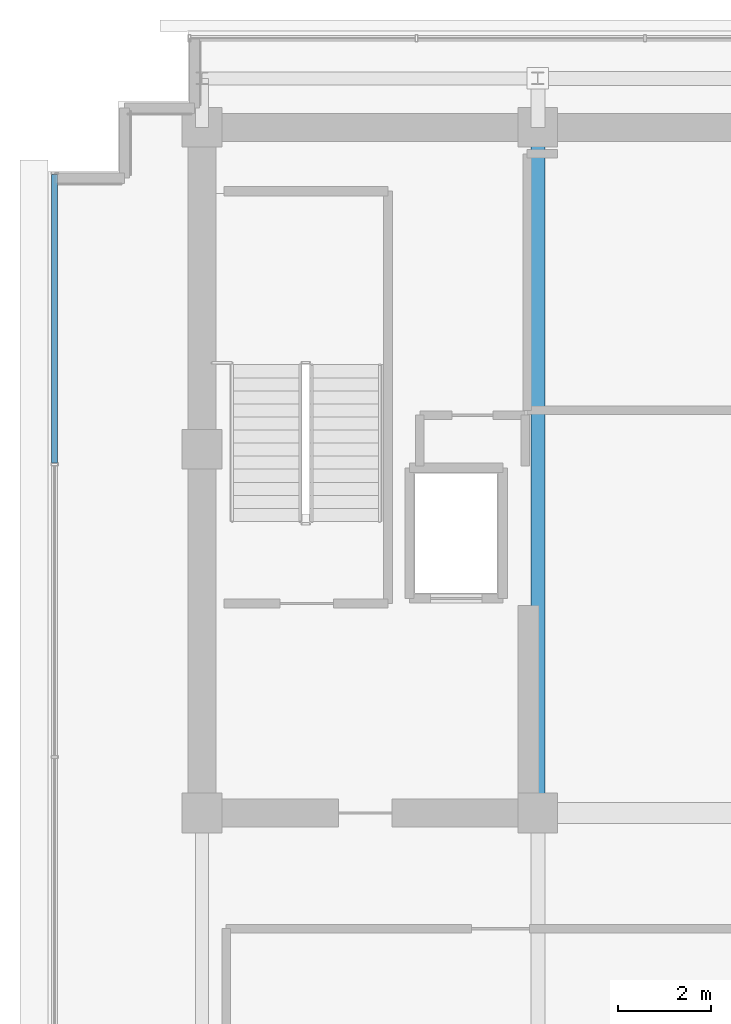
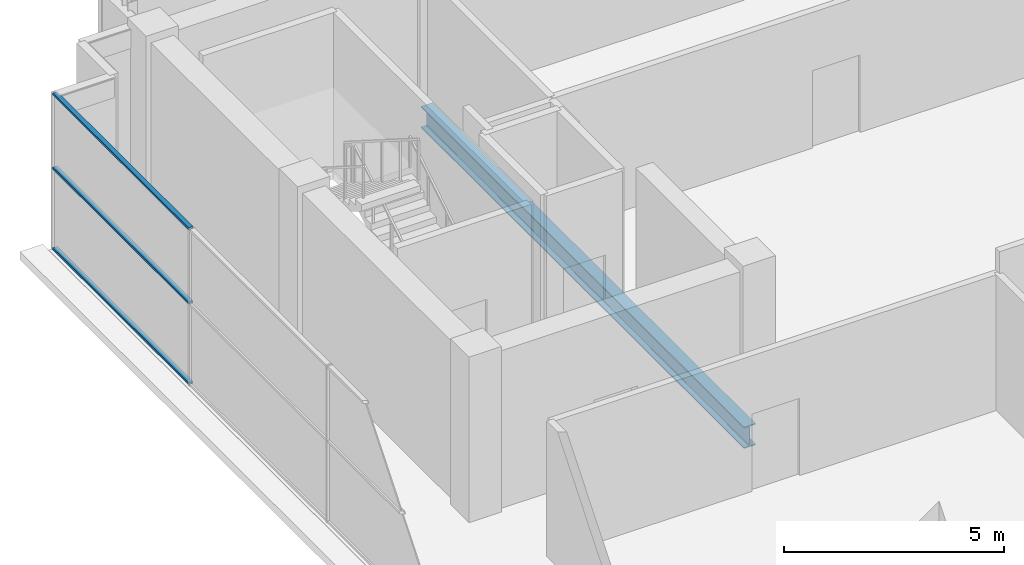
# One storey, part 14 of 27: 3 members, 1 beam, 1 element without a shape of its own.
"""IFC4 building model written with IfcOpenShell, lengths in metres."""

import ifcopenshell
import ifcopenshell.guid

model = None  # the IFC model being written
_history = None  # IfcOwnerHistory: only IFC2X3 demands one
_inside = {}  # id of a spatial element -> (the spatial element, [elements in it])
_under = {}  # id of a project, library or spatial element -> (it, [spatial elements below it])
_declared = {}  # id of a project -> (the project, [libraries it declares])
_typed = {}  # id of a type object -> (the type object, [elements of that type])
_made_of = {}  # id of a material, layer set ... -> (it, [elements and type objects made of it])


def new_model(schema):
    """Start an empty IFC model of exactly this schema.

    Asked for "IFC4X3", IfcOpenShell would pick the latest addendum, in which some entities
    have other attributes; the version numbers below select the first issue.
    IFC2X3 requires an IfcOwnerHistory on every rooted entity: one is made here for all.
    """
    global model, _history
    if schema == "IFC4X3":
        model = ifcopenshell.file(schema_version=(4, 3, 0, 0))
    else:
        model = ifcopenshell.file(schema=schema)
    _inside.clear()
    _under.clear()
    _declared.clear()
    _typed.clear()
    _made_of.clear()
    _history = None
    if model.schema == "IFC2X3":
        org = make("IfcOrganization", Name="unknown")
        user = make(
            "IfcPersonAndOrganization",
            ThePerson=make("IfcPerson", FamilyName="unknown"),
            TheOrganization=org,
        )
        app = make(
            "IfcApplication",
            ApplicationDeveloper=org,
            Version="unknown",
            ApplicationFullName="unknown",
            ApplicationIdentifier="unknown",
        )
        _history = make(
            "IfcOwnerHistory",
            OwningUser=user,
            OwningApplication=app,
            ChangeAction="ADDED",
            CreationDate=0,
        )
    return model


def make(cls, **values):
    """One entity of the class cls with the attributes given. An attribute that is None is left unset."""
    return model.create_entity(
        cls, **{name: value for name, value in values.items() if value is not None}
    )


def rooted(cls, **values):
    """An entity with a GlobalId (a new one), such as an element, a storey or a relation."""
    return make(cls, GlobalId=ifcopenshell.guid.new(), OwnerHistory=_history, **values)


def si_unit(unit_type, name, prefix=None):
    """IfcSIUnit, for example si_unit("LENGTHUNIT", "METRE", prefix="MILLI")."""
    return make("IfcSIUnit", UnitType=unit_type, Prefix=prefix, Name=name)


def assignment(units):
    """IfcUnitAssignment: the units of a project."""
    return None if units is None else make("IfcUnitAssignment", Units=units)


def point(xyz):
    """IfcCartesianPoint."""
    return None if xyz is None else make("IfcCartesianPoint", Coordinates=xyz)


def direction(xyz):
    """IfcDirection."""
    return None if xyz is None else make("IfcDirection", DirectionRatios=xyz)


def frame(location, z_axis=None, x_axis=None):
    """IfcAxis2Placement3D, a coordinate frame: its origin and axes. An axis left out is left unset."""
    return make(
        "IfcAxis2Placement3D",
        Location=point(location),
        Axis=direction(z_axis),
        RefDirection=direction(x_axis),
    )


def frame_2d(location, x_axis=None):
    """IfcAxis2Placement2D, a coordinate frame in the plane: its origin and x axis."""
    return make(
        "IfcAxis2Placement2D", Location=point(location), RefDirection=direction(x_axis)
    )


def origin():
    """The frame at (0, 0, 0) with its axes left unset."""
    return frame((0.0, 0.0, 0.0))


def origin_2d():
    """The frame at (0, 0) in the plane with its x axis left unset."""
    return frame_2d((0.0, 0.0))


def place(relative_to, where):
    """IfcLocalPlacement: puts the frame where relative to a parent placement (None: the world)."""
    return make(
        "IfcLocalPlacement", PlacementRelTo=relative_to, RelativePlacement=where
    )


def context(
    kind, dimensions, precision=None, world=None, true_north=None, identifier=None
):
    """IfcGeometricRepresentationContext, for example the 3D "Model" context."""
    return make(
        "IfcGeometricRepresentationContext",
        ContextIdentifier=identifier,
        ContextType=kind,
        CoordinateSpaceDimension=dimensions,
        Precision=precision,
        WorldCoordinateSystem=world,
        TrueNorth=true_north,
    )


def subcontext(parent, identifier, kind, view, scale=None):
    """IfcGeometricRepresentationSubContext, for example "Body" below "Model"."""
    return make(
        "IfcGeometricRepresentationSubContext",
        ContextIdentifier=identifier,
        ContextType=kind,
        ParentContext=parent,
        TargetScale=scale,
        TargetView=view,
    )


def project(units=None, contexts=None):
    """IfcProject with its units and contexts."""
    return rooted(
        "IfcProject",
        Name="project",
        RepresentationContexts=contexts,
        UnitsInContext=assignment(units),
    )


def spatial(cls, under=None, at=None, **own):
    """A site, building, storey or space (cls), placed at a placement, below another one or the project."""
    s = rooted(cls, ObjectPlacement=at, **own)
    if under is not None:
        _under.setdefault(under.id(), (under, []))[1].append(s)
    return s


def profile(cls, at=None, kind="AREA", **sizes):
    """A parametric profile (cls). Its sizes go by their IFC names, for example OverallWidth=200.0."""
    return make(cls, ProfileType=kind, Position=at, **sizes)


def hollow_rectangle(**sizes):
    """IfcRectangleHollowProfileDef."""
    return profile("IfcRectangleHollowProfileDef", **sizes)


def i_section(**sizes):
    """IfcIShapeProfileDef."""
    return profile("IfcIShapeProfileDef", **sizes)


def extrude(swept, where, along, depth):
    """IfcExtrudedAreaSolid: the profile swept, set in the frame where, extruded along a direction by depth."""
    return make(
        "IfcExtrudedAreaSolid",
        SweptArea=swept,
        Position=where,
        ExtrudedDirection=direction(along),
        Depth=depth,
    )


def shape(context_of_items, identifier, shape_type, items):
    """IfcShapeRepresentation: the items that make up one representation, for example the "Body"."""
    return make(
        "IfcShapeRepresentation",
        ContextOfItems=context_of_items,
        RepresentationIdentifier=identifier,
        RepresentationType=shape_type,
        Items=items,
    )


def source(mapping_origin, context_of_items, identifier, shape_type, items):
    """IfcRepresentationMap: a shape defined once, which mapped items show again and again."""
    return make(
        "IfcRepresentationMap",
        MappingOrigin=mapping_origin,
        MappedRepresentation=shape(context_of_items, identifier, shape_type, items),
    )


def transform(
    local_origin,
    x_axis=None,
    y_axis=None,
    z_axis=None,
    scale=None,
    scale2=None,
    scale3=None,
    uniform=True,
):
    """IfcCartesianTransformationOperator3D, or its non-uniform kind. x_axis, y_axis, z_axis: its Axis1, 2, 3."""
    if uniform:
        return make(
            "IfcCartesianTransformationOperator3D",
            Axis1=direction(x_axis),
            Axis2=direction(y_axis),
            LocalOrigin=point(local_origin),
            Scale=scale,
            Axis3=direction(z_axis),
        )
    return make(
        "IfcCartesianTransformationOperator3DnonUniform",
        Axis1=direction(x_axis),
        Axis2=direction(y_axis),
        LocalOrigin=point(local_origin),
        Scale=scale,
        Axis3=direction(z_axis),
        Scale2=scale2,
        Scale3=scale3,
    )


def mapped(mapping_source, mapping_target):
    """IfcMappedItem: shows the shape of a source again, moved by a transform."""
    return make(
        "IfcMappedItem", MappingSource=mapping_source, MappingTarget=mapping_target
    )


def material(Name=None, Category=None):
    """IfcMaterial."""
    return make("IfcMaterial", Name=Name, Category=Category)


def layer(
    of_material, thickness, ventilated=None, Name=None, Category=None, Priority=None
):
    """IfcMaterialLayer: one layer of a wall or slab, of a material (None: an air gap)."""
    return make(
        "IfcMaterialLayer",
        Material=of_material,
        LayerThickness=thickness,
        IsVentilated=ventilated,
        Name=Name,
        Category=Category,
        Priority=Priority,
    )


def layer_set(layers, Name=None):
    """IfcMaterialLayerSet."""
    return make("IfcMaterialLayerSet", MaterialLayers=layers, LayerSetName=Name)


def material_profile(
    of_material, cross_section, Name=None, Category=None, Priority=None
):
    """IfcMaterialProfile: a cross section and its material."""
    return make(
        "IfcMaterialProfile",
        Name=Name,
        Material=of_material,
        Profile=cross_section,
        Priority=Priority,
        Category=Category,
    )


def profile_set(profiles, Name=None, composite=None):
    """IfcMaterialProfileSet."""
    return make(
        "IfcMaterialProfileSet",
        Name=Name,
        MaterialProfiles=profiles,
        CompositeProfile=composite,
    )


def made_of(thing, what):
    """Note that an element or type object is made of a material, layer set ...; save() writes the relation."""
    if what is not None:
        _made_of.setdefault(what.id(), (what, []))[1].append(thing)
    return thing


def type_object(cls, material=None, **own):
    """A type object (cls), such as IfcWallType, which elements share."""
    return made_of(rooted(cls, **own), material)


def element(
    cls,
    number,
    at=None,
    inside=None,
    cuts=None,
    type_object=None,
    material=None,
    context=None,
    identifier="Body",
    shape_type=None,
    held_by="IfcProductDefinitionShape",
    body=None,
    shapes=None,
    **own,
):
    """One element of the class cls, such as IfcWall. Its Tag is "e" and its number.

    at: its placement. inside: the storey or other place that contains it. cuts: it is an
    opening in that element (IfcRelVoidsElement). A single representation is given by context,
    identifier, shape_type and body (its items); several are given by shapes. held_by: the class
    of the entity that holds the representations. save() writes the other relations.
    """
    e = rooted(cls, Tag="e%d" % number, ObjectPlacement=at, **own)
    if body is not None:
        shapes = [shape(context, identifier, shape_type, body)]
    if shapes is not None:
        e.Representation = make(held_by, Representations=shapes)
    if inside is not None:
        _inside.setdefault(inside.id(), (inside, []))[1].append(e)
    if cuts is not None:
        rooted(
            "IfcRelVoidsElement", RelatingBuildingElement=cuts, RelatedOpeningElement=e
        )
    if type_object is not None:
        _typed.setdefault(type_object.id(), (type_object, []))[1].append(e)
    return made_of(e, material)


def aggregate(whole, parts):
    """IfcRelAggregates: a whole, such as a stair, and the parts it consists of."""
    return rooted("IfcRelAggregates", RelatingObject=whole, RelatedObjects=parts)


def save(model, path):
    """Write the relations noted so far, then the file.

    IfcRelAggregates (storeys below a building ...), IfcRelContainedInSpatialStructure (elements
    in a storey), IfcRelDefinesByType, IfcRelAssociatesMaterial and IfcRelDeclares: one each for
    every whole, place, type object, material and project.
    """
    for whole, parts in _under.values():
        aggregate(whole, parts)
    for where, things in _inside.values():
        rooted(
            "IfcRelContainedInSpatialStructure",
            RelatedElements=things,
            RelatingStructure=where,
        )
    for kind, things in _typed.values():
        rooted("IfcRelDefinesByType", RelatedObjects=things, RelatingType=kind)
    for what, things in _made_of.values():
        rooted("IfcRelAssociatesMaterial", RelatedObjects=things, RelatingMaterial=what)
    for by, libraries in _declared.values():
        rooted("IfcRelDeclares", RelatingContext=by, RelatedDefinitions=libraries)
    model.write(path)


model = new_model("IFC4")

# Units and contexts
model_context = context("Model", 3, precision=1e-05, world=origin(), true_north=direction((0.0, 1.0)))
body_context = subcontext(model_context, "Body", "Model", "MODEL_VIEW")
ifc_project = project(units=[si_unit("LENGTHUNIT", "METRE"), si_unit("AREAUNIT", "SQUARE_METRE"), si_unit("VOLUMEUNIT", "CUBIC_METRE"), si_unit("PLANEANGLEUNIT", "RADIAN"), si_unit("MASSUNIT", "GRAM", prefix="KILO")], contexts=[model_context])

# Site, building, storey
site_placement = place(None, origin())
site = spatial("IfcSite", under=ifc_project, at=site_placement, CompositionType="ELEMENT")
building_placement = place(site_placement, origin())
building = spatial("IfcBuilding", under=site, at=building_placement, Name="Zarnakvel Exchange Tower", CompositionType="ELEMENT")
storey_placement = place(building_placement, frame((0.0, 0.0, 294.60009765625)))
storey = spatial("IfcBuildingStorey", under=building, at=storey_placement, Name="Crown L82", CompositionType="ELEMENT", Elevation=294.60009765625)

# Beam
ifc_material_1 = material(Name="Steel S355", Category="steel")
ifc_material_profile_1 = material_profile(ifc_material_1, i_section(OverallWidth=0.300048828125, OverallDepth=0.60009765625, WebThickness=0.015380859375, FlangeThickness=0.030029296875, FilletRadius=0.027099609375, at=origin_2d()))
ifc_profile_set_1 = profile_set([ifc_material_profile_1], Name="Steel S355")
beam_type = type_object("IfcBeamType", Name="G-04", PredefinedType="BEAM", material=ifc_profile_set_1)
beam_placement = place(storey_placement, frame((-7.199951171875, -1.199951171875, -0.52001953125), z_axis=(0.0, 1.0, 0.0), x_axis=(-1.0, 0.0, 0.0)))
element("IfcBeam", 1, at=beam_placement, inside=storey, type_object=beam_type, Name="Crown L82 Tower N-S Frame Beam", PredefinedType="BEAM", context=body_context, shape_type="SweptSolid", body=[
    extrude(i_section(OverallWidth=0.300048828125, OverallDepth=0.60009765625, WebThickness=0.015380859375, FlangeThickness=0.030029296875, FilletRadius=0.027099609375, at=origin_2d()), origin(), (0.0, 0.0, 1.0), 14.699951171875),
])

# Curtain wall, members
ifc_material_2 = material(Name="Architectural Bronze Anodised Aluminium", Category="aluminium")
ifc_layer = layer(ifc_material_2, 0.14990234375)
ifc_layer_set = layer_set([ifc_layer], Name="Architectural Bronze Anodised Aluminium")
curtain_wall_type = type_object("IfcCurtainWallType", Name="CW-07", PredefinedType="NOTDEFINED", material=ifc_layer_set)
curtain_wall_placement = place(storey_placement, origin())
curtain_wall = element("IfcCurtainWall", 2, at=curtain_wall_placement, inside=storey, type_object=curtain_wall_type, Name="Crown L82 Curtain Wall CW-Crown L82-W (CW-07)", PredefinedType="NOTDEFINED")
ifc_material_profile_2 = material_profile(ifc_material_2, hollow_rectangle(XDim=0.1201171875, YDim=0.06005859375, WallThickness=0.00390625, at=origin_2d()))
ifc_profile_set_2 = profile_set([ifc_material_profile_2], Name="Architectural Bronze Anodised Aluminium")
member_type = type_object("IfcMemberType", Name="CWT-07", PredefinedType="USERDEFINED", material=ifc_profile_set_2)
shared_shape = source(origin(), body_context, "Body", "SweptSolid", [
    extrude(hollow_rectangle(XDim=0.1201171875, YDim=0.06005859375, WallThickness=0.00390625, at=origin_2d()), origin(), (0.0, 0.0, 1.0), 6.18505859375),
])
member_1_placement = place(storey_placement, frame((-17.56005859375, 6.304931640625, 0.02978515625), z_axis=(0.0, 1.0, 0.0), x_axis=(-1.0, 0.0, 0.0)))
member_1 = element("IfcMember", 3, at=member_1_placement, type_object=member_type, Name="CW-07 transom 4.1", ObjectType="TRANSOM", PredefinedType="USERDEFINED", context=body_context, shape_type="MappedRepresentation", body=[
    mapped(shared_shape, transform((0.0, 0.0, 0.0), x_axis=(1.0, 0.0, 0.0), y_axis=(0.0, 1.0, 0.0), z_axis=(0.0, 0.0, 1.0), scale=1.0)),
])
member_2_placement = place(storey_placement, frame((-17.56005859375, 6.304931640625, 2.26708984375), z_axis=(0.0, 1.0, 0.0), x_axis=(-1.0, 0.0, 0.0)))
member_2 = element("IfcMember", 4, at=member_2_placement, type_object=member_type, Name="CW-07 transom 4.2", ObjectType="TRANSOM", PredefinedType="USERDEFINED", context=body_context, shape_type="MappedRepresentation", body=[
    mapped(shared_shape, transform((0.0, 0.0, 0.0), x_axis=(1.0, 0.0, 0.0), y_axis=(0.0, 1.0, 0.0), z_axis=(0.0, 0.0, 1.0), scale=1.0)),
])
member_3_placement = place(storey_placement, frame((-17.56005859375, 6.304931640625, 4.329833984375), z_axis=(0.0, 1.0, 0.0), x_axis=(-1.0, 0.0, 0.0)))
member_3 = element("IfcMember", 5, at=member_3_placement, type_object=member_type, Name="CW-07 transom 4.3", ObjectType="TRANSOM", PredefinedType="USERDEFINED", context=body_context, shape_type="MappedRepresentation", body=[
    mapped(shared_shape, transform((0.0, 0.0, 0.0), x_axis=(1.0, 0.0, 0.0), y_axis=(0.0, 1.0, 0.0), z_axis=(0.0, 0.0, 1.0), scale=1.0)),
])
aggregate(curtain_wall, [member_1, member_2, member_3])

save(model, "model.ifc")
